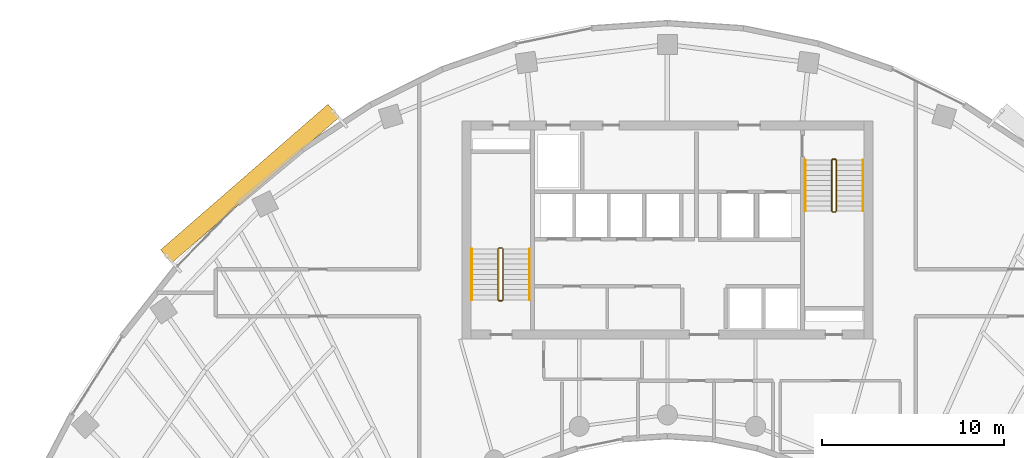
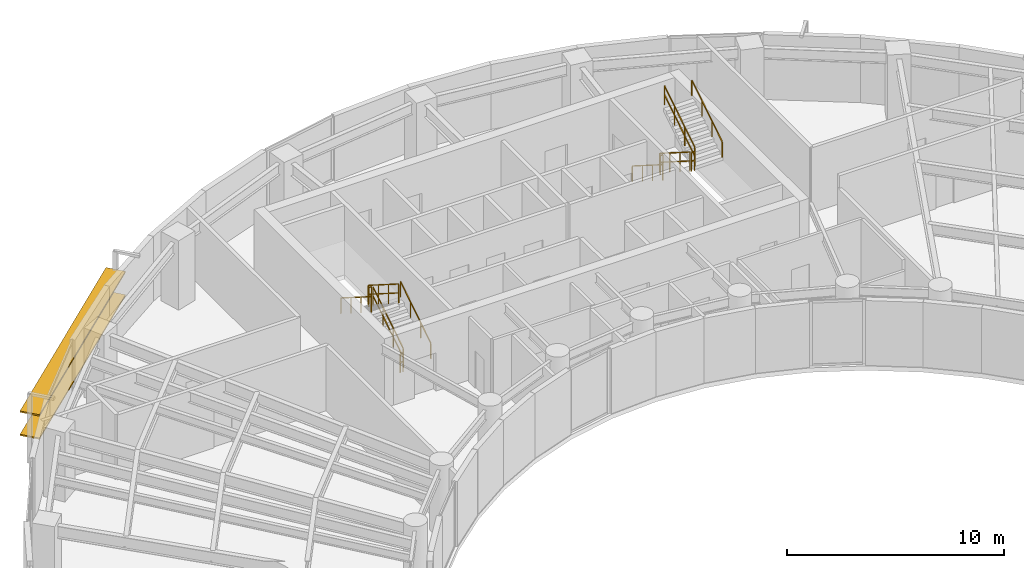
# One storey, part 12 of 13: 12 railings, 2 shading devices.
"""IFC4 building model written with IfcOpenShell, lengths in metres."""

from ifc_helpers import new_model, si_unit, direction, frame, origin, origin_2d, place, context, subcontext, project, spatial, rectangle, extrude, source, transform, mapped, material, material_profile, profile_set, type_object, type_shapes, element, save


model = new_model("IFC4")

# Units and contexts
model_context = context("Model", 3, precision=1e-05, world=origin(), true_north=direction((0.0, 1.0)))
body_context = subcontext(model_context, "Body", "Model", "MODEL_VIEW")
ifc_project = project(units=[si_unit("LENGTHUNIT", "METRE"), si_unit("AREAUNIT", "SQUARE_METRE"), si_unit("VOLUMEUNIT", "CUBIC_METRE"), si_unit("PLANEANGLEUNIT", "RADIAN"), si_unit("MASSUNIT", "GRAM", prefix="KILO")], contexts=[model_context])

# Site, building, storey
site_placement = place(None, origin())
site = spatial("IfcSite", under=ifc_project, at=site_placement, CompositionType="ELEMENT")
building_placement = place(site_placement, origin())
building = spatial("IfcBuilding", under=site, at=building_placement, Name="Breltana Convention Tower", CompositionType="ELEMENT")
storey_placement = place(building_placement, frame((0.0, 0.0, 154.5)))
storey = spatial("IfcBuildingStorey", under=building, at=storey_placement, Name="L37", CompositionType="ELEMENT", Elevation=154.5)

# Railings
ifc_material_1 = material(Name="Steel S275 Painted", Category="steel")
railing_type_1 = type_object("IfcRailingType", Name="RL-STAIR-GUARD-1100", PredefinedType="GUARDRAIL", material=ifc_material_1)
railing_1_placement = place(storey_placement, frame((38.9599609375, 62.360107421875, 0.17724609375)))
element("IfcRailing", 1, at=railing_1_placement, inside=storey, type_object=railing_type_1, Name="L37 ST-1 stair guard 1", PredefinedType="GUARDRAIL", context=body_context, shape_type="SweptSolid", body=[
    extrude(rectangle(XDim=0.048095703125, YDim=0.048095703125, at=origin_2d()), frame((0.0, 0.0, 1.076171875), z_axis=(0.0, 0.844887892834, 0.53494340686), x_axis=(-1.0, 0.0, 0.0)), (0.0, 0.0, 1.0), 3.313720703125),
    extrude(rectangle(XDim=0.048095703125, YDim=0.048095703125, at=origin_2d()), frame((0.0, 0.0, 0.572021484375), z_axis=(0.0, 0.844887892834, 0.53494340686), x_axis=(-1.0, 0.0, 0.0)), (0.0, 0.0, 1.0), 3.313720703125),
    extrude(rectangle(XDim=0.0419921875, YDim=0.0419921875, at=origin_2d()), origin(), (0.0, 0.0, 1.0), 1.052001953125),
    extrude(rectangle(XDim=0.0419921875, YDim=0.0419921875, at=origin_2d()), frame((0.0, 0.933349609375, 0.5908203125)), (0.0, 0.0, 1.0), 1.052001953125),
    extrude(rectangle(XDim=0.0419921875, YDim=0.0419921875, at=origin_2d()), frame((0.0, 1.866455078125, 1.181884765625)), (0.0, 0.0, 1.0), 1.052001953125),
    extrude(rectangle(XDim=0.0419921875, YDim=0.0419921875, at=origin_2d()), frame((0.0, 2.7998046875, 1.772705078125)), (0.0, 0.0, 1.0), 1.052001953125),
])
railing_2_placement = place(storey_placement, frame((38.909912109375, 65.2099609375, 1.949951171875)))
element("IfcRailing", 2, at=railing_2_placement, inside=storey, type_object=railing_type_1, Name="L37 ST-1 stair guard 2", PredefinedType="GUARDRAIL", context=body_context, shape_type="SweptSolid", body=[
    extrude(rectangle(XDim=0.048095703125, YDim=0.048095703125, at=origin_2d()), frame((0.0, 0.0, 1.076171875), z_axis=(-1.0, 0.0, 0.0), x_axis=(0.0, -1.0, 0.0)), (0.0, 0.0, 1.0), 0.14990234375),
    extrude(rectangle(XDim=0.048095703125, YDim=0.048095703125, at=origin_2d()), frame((0.0, 0.0, 0.572021484375), z_axis=(-1.0, 0.0, 0.0), x_axis=(0.0, -1.0, 0.0)), (0.0, 0.0, 1.0), 0.14990234375),
    extrude(rectangle(XDim=0.0419921875, YDim=0.0419921875, at=origin_2d()), origin(), (0.0, 0.0, 1.0), 1.052001953125),
    extrude(rectangle(XDim=0.0419921875, YDim=0.0419921875, at=origin_2d()), frame((-0.14990234375, 0.0, 0.0)), (0.0, 0.0, 1.0), 1.052001953125),
])
railing_3_placement = place(storey_placement, frame((38.7099609375, 65.159912109375, 2.127197265625)))
element("IfcRailing", 3, at=railing_3_placement, inside=storey, type_object=railing_type_1, Name="L37 ST-1 stair guard 3", PredefinedType="GUARDRAIL", context=body_context, shape_type="SweptSolid", body=[
    extrude(rectangle(XDim=0.048095703125, YDim=0.048095703125, at=origin_2d()), frame((0.0, 0.0, 1.076171875), z_axis=(0.0, -0.844887892834, 0.53494340686), x_axis=(1.0, 0.0, 0.0)), (0.0, 0.0, 1.0), 3.313720703125),
    extrude(rectangle(XDim=0.048095703125, YDim=0.048095703125, at=origin_2d()), frame((0.0, 0.0, 0.572021484375), z_axis=(0.0, -0.844887892834, 0.53494340686), x_axis=(1.0, 0.0, 0.0)), (0.0, 0.0, 1.0), 3.313720703125),
    extrude(rectangle(XDim=0.0419921875, YDim=0.0419921875, at=origin_2d()), origin(), (0.0, 0.0, 1.0), 1.052001953125),
    extrude(rectangle(XDim=0.0419921875, YDim=0.0419921875, at=origin_2d()), frame((0.0, -0.933349609375, 0.5908203125)), (0.0, 0.0, 1.0), 1.052001953125),
    extrude(rectangle(XDim=0.0419921875, YDim=0.0419921875, at=origin_2d()), frame((0.0, -1.866455078125, 1.181884765625)), (0.0, 0.0, 1.0), 1.052001953125),
    extrude(rectangle(XDim=0.0419921875, YDim=0.0419921875, at=origin_2d()), frame((0.0, -2.7998046875, 1.772705078125)), (0.0, 0.0, 1.0), 1.052001953125),
])
railing_4_placement = place(storey_placement, frame((38.909912109375, 62.31005859375, 0.0)))
element("IfcRailing", 4, at=railing_4_placement, inside=storey, type_object=railing_type_1, Name="L37 ST-1 stair guard 4", PredefinedType="GUARDRAIL", context=body_context, shape_type="SweptSolid", body=[
    extrude(rectangle(XDim=0.048095703125, YDim=0.048095703125, at=origin_2d()), frame((0.0, 0.0, 1.076171875), z_axis=(-1.0, 0.0, 0.0), x_axis=(0.0, -1.0, 0.0)), (0.0, 0.0, 1.0), 0.14990234375),
    extrude(rectangle(XDim=0.048095703125, YDim=0.048095703125, at=origin_2d()), frame((0.0, 0.0, 0.572021484375), z_axis=(-1.0, 0.0, 0.0), x_axis=(0.0, -1.0, 0.0)), (0.0, 0.0, 1.0), 0.14990234375),
    extrude(rectangle(XDim=0.0419921875, YDim=0.0419921875, at=origin_2d()), origin(), (0.0, 0.0, 1.0), 1.052001953125),
    extrude(rectangle(XDim=0.0419921875, YDim=0.0419921875, at=origin_2d()), frame((-0.14990234375, 0.0, 0.0)), (0.0, 0.0, 1.0), 1.052001953125),
])
railing_5_placement = place(storey_placement, frame((57.0400390625, 70.0400390625, 0.17724609375)))
element("IfcRailing", 5, at=railing_5_placement, inside=storey, type_object=railing_type_1, Name="L37 ST-2 stair guard 1", PredefinedType="GUARDRAIL", context=body_context, shape_type="SweptSolid", body=[
    extrude(rectangle(XDim=0.048095703125, YDim=0.048095703125, at=origin_2d()), frame((0.0, 0.0, 1.076171875), z_axis=(0.0, -0.844908973607, 0.534910110503), x_axis=(1.0, 0.0, 0.0)), (0.0, 0.0, 1.0), 3.31396484375),
    extrude(rectangle(XDim=0.048095703125, YDim=0.048095703125, at=origin_2d()), frame((0.0, 0.0, 0.572021484375), z_axis=(0.0, -0.844908973607, 0.534910110503), x_axis=(1.0, 0.0, 0.0)), (0.0, 0.0, 1.0), 3.31396484375),
    extrude(rectangle(XDim=0.0419921875, YDim=0.0419921875, at=origin_2d()), origin(), (0.0, 0.0, 1.0), 1.052001953125),
    extrude(rectangle(XDim=0.0419921875, YDim=0.0419921875, at=origin_2d()), frame((0.0, -0.933349609375, 0.5908203125)), (0.0, 0.0, 1.0), 1.052001953125),
    extrude(rectangle(XDim=0.0419921875, YDim=0.0419921875, at=origin_2d()), frame((0.0, -1.86669921875, 1.181884765625)), (0.0, 0.0, 1.0), 1.052001953125),
    extrude(rectangle(XDim=0.0419921875, YDim=0.0419921875, at=origin_2d()), frame((0.0, -2.800048828125, 1.772705078125)), (0.0, 0.0, 1.0), 1.052001953125),
])
railing_6_placement = place(storey_placement, frame((57.090087890625, 67.18994140625, 1.949951171875)))
element("IfcRailing", 6, at=railing_6_placement, inside=storey, type_object=railing_type_1, Name="L37 ST-2 stair guard 2", PredefinedType="GUARDRAIL", context=body_context, shape_type="SweptSolid", body=[
    extrude(rectangle(XDim=0.048095703125, YDim=0.048095703125, at=origin_2d()), frame((0.0, 0.0, 1.076171875), z_axis=(1.0, 0.0, 0.0), x_axis=(0.0, 1.0, 0.0)), (0.0, 0.0, 1.0), 0.14990234375),
    extrude(rectangle(XDim=0.048095703125, YDim=0.048095703125, at=origin_2d()), frame((0.0, 0.0, 0.572021484375), z_axis=(1.0, 0.0, 0.0), x_axis=(0.0, 1.0, 0.0)), (0.0, 0.0, 1.0), 0.14990234375),
    extrude(rectangle(XDim=0.0419921875, YDim=0.0419921875, at=origin_2d()), origin(), (0.0, 0.0, 1.0), 1.052001953125),
    extrude(rectangle(XDim=0.0419921875, YDim=0.0419921875, at=origin_2d()), frame((0.14990234375, 0.0, 0.0)), (0.0, 0.0, 1.0), 1.052001953125),
])
railing_7_placement = place(storey_placement, frame((57.2900390625, 67.239990234375, 2.127197265625)))
element("IfcRailing", 7, at=railing_7_placement, inside=storey, type_object=railing_type_1, Name="L37 ST-2 stair guard 3", PredefinedType="GUARDRAIL", context=body_context, shape_type="SweptSolid", body=[
    extrude(rectangle(XDim=0.048095703125, YDim=0.048095703125, at=origin_2d()), frame((0.0, 0.0, 1.076171875), z_axis=(0.0, 0.844908973607, 0.534910110503), x_axis=(-1.0, 0.0, 0.0)), (0.0, 0.0, 1.0), 3.31396484375),
    extrude(rectangle(XDim=0.048095703125, YDim=0.048095703125, at=origin_2d()), frame((0.0, 0.0, 0.572021484375), z_axis=(0.0, 0.844908973607, 0.534910110503), x_axis=(-1.0, 0.0, 0.0)), (0.0, 0.0, 1.0), 3.31396484375),
    extrude(rectangle(XDim=0.0419921875, YDim=0.0419921875, at=origin_2d()), origin(), (0.0, 0.0, 1.0), 1.052001953125),
    extrude(rectangle(XDim=0.0419921875, YDim=0.0419921875, at=origin_2d()), frame((0.0, 0.933349609375, 0.5908203125)), (0.0, 0.0, 1.0), 1.052001953125),
    extrude(rectangle(XDim=0.0419921875, YDim=0.0419921875, at=origin_2d()), frame((0.0, 1.86669921875, 1.181884765625)), (0.0, 0.0, 1.0), 1.052001953125),
    extrude(rectangle(XDim=0.0419921875, YDim=0.0419921875, at=origin_2d()), frame((0.0, 2.800048828125, 1.772705078125)), (0.0, 0.0, 1.0), 1.052001953125),
])
railing_8_placement = place(storey_placement, frame((57.090087890625, 70.090087890625, 0.0)))
element("IfcRailing", 8, at=railing_8_placement, inside=storey, type_object=railing_type_1, Name="L37 ST-2 stair guard 4", PredefinedType="GUARDRAIL", context=body_context, shape_type="SweptSolid", body=[
    extrude(rectangle(XDim=0.048095703125, YDim=0.048095703125, at=origin_2d()), frame((0.0, 0.0, 1.076171875), z_axis=(1.0, 0.0, 0.0), x_axis=(0.0, 1.0, 0.0)), (0.0, 0.0, 1.0), 0.14990234375),
    extrude(rectangle(XDim=0.048095703125, YDim=0.048095703125, at=origin_2d()), frame((0.0, 0.0, 0.572021484375), z_axis=(1.0, 0.0, 0.0), x_axis=(0.0, 1.0, 0.0)), (0.0, 0.0, 1.0), 0.14990234375),
    extrude(rectangle(XDim=0.0419921875, YDim=0.0419921875, at=origin_2d()), origin(), (0.0, 0.0, 1.0), 1.052001953125),
    extrude(rectangle(XDim=0.0419921875, YDim=0.0419921875, at=origin_2d()), frame((0.14990234375, 0.0, 0.0)), (0.0, 0.0, 1.0), 1.052001953125),
])
ifc_material_2 = material(Name="Stainless Steel 316L", Category="steel")
railing_type_2 = type_object("IfcRailingType", Name="RL-STAIR-HANDRAIL-900", PredefinedType="HANDRAIL", material=ifc_material_2)
railing_9_placement = place(storey_placement, frame((40.419921875, 62.360107421875, 0.17724609375)))
element("IfcRailing", 9, at=railing_9_placement, inside=storey, type_object=railing_type_2, Name="L37 ST-1 stair handrail 1", PredefinedType="HANDRAIL", context=body_context, shape_type="SweptSolid", body=[
    extrude(rectangle(XDim=0.048095703125, YDim=0.048095703125, at=origin_2d()), frame((0.0, 0.0, 0.8759765625), z_axis=(0.0, 0.844887892834, 0.53494340686), x_axis=(-1.0, 0.0, 0.0)), (0.0, 0.0, 1.0), 3.313720703125),
    extrude(rectangle(XDim=0.0419921875, YDim=0.0419921875, at=origin_2d()), origin(), (0.0, 0.0, 1.0), 0.851806640625),
    extrude(rectangle(XDim=0.0419921875, YDim=0.0419921875, at=origin_2d()), frame((0.0, 0.933349609375, 0.5908203125)), (0.0, 0.0, 1.0), 0.851806640625),
    extrude(rectangle(XDim=0.0419921875, YDim=0.0419921875, at=origin_2d()), frame((0.0, 1.866455078125, 1.181884765625)), (0.0, 0.0, 1.0), 0.851806640625),
    extrude(rectangle(XDim=0.0419921875, YDim=0.0419921875, at=origin_2d()), frame((0.0, 2.7998046875, 1.772705078125)), (0.0, 0.0, 1.0), 0.851806640625),
])
railing_10_placement = place(storey_placement, frame((37.25, 65.159912109375, 2.127197265625)))
element("IfcRailing", 10, at=railing_10_placement, inside=storey, type_object=railing_type_2, Name="L37 ST-1 stair handrail 2", PredefinedType="HANDRAIL", context=body_context, shape_type="SweptSolid", body=[
    extrude(rectangle(XDim=0.048095703125, YDim=0.048095703125, at=origin_2d()), frame((0.0, 0.0, 0.8759765625), z_axis=(0.0, -0.844887892834, 0.53494340686), x_axis=(1.0, 0.0, 0.0)), (0.0, 0.0, 1.0), 3.313720703125),
    extrude(rectangle(XDim=0.0419921875, YDim=0.0419921875, at=origin_2d()), origin(), (0.0, 0.0, 1.0), 0.851806640625),
    extrude(rectangle(XDim=0.0419921875, YDim=0.0419921875, at=origin_2d()), frame((0.0, -0.933349609375, 0.5908203125)), (0.0, 0.0, 1.0), 0.851806640625),
    extrude(rectangle(XDim=0.0419921875, YDim=0.0419921875, at=origin_2d()), frame((0.0, -1.866455078125, 1.181884765625)), (0.0, 0.0, 1.0), 0.851806640625),
    extrude(rectangle(XDim=0.0419921875, YDim=0.0419921875, at=origin_2d()), frame((0.0, -2.7998046875, 1.772705078125)), (0.0, 0.0, 1.0), 0.851806640625),
])
railing_11_placement = place(storey_placement, frame((55.580078125, 70.0400390625, 0.17724609375)))
element("IfcRailing", 11, at=railing_11_placement, inside=storey, type_object=railing_type_2, Name="L37 ST-2 stair handrail 1", PredefinedType="HANDRAIL", context=body_context, shape_type="SweptSolid", body=[
    extrude(rectangle(XDim=0.048095703125, YDim=0.048095703125, at=origin_2d()), frame((0.0, 0.0, 0.8759765625), z_axis=(0.0, -0.844908973607, 0.534910110503), x_axis=(1.0, 0.0, 0.0)), (0.0, 0.0, 1.0), 3.31396484375),
    extrude(rectangle(XDim=0.0419921875, YDim=0.0419921875, at=origin_2d()), origin(), (0.0, 0.0, 1.0), 0.851806640625),
    extrude(rectangle(XDim=0.0419921875, YDim=0.0419921875, at=origin_2d()), frame((0.0, -0.933349609375, 0.5908203125)), (0.0, 0.0, 1.0), 0.851806640625),
    extrude(rectangle(XDim=0.0419921875, YDim=0.0419921875, at=origin_2d()), frame((0.0, -1.86669921875, 1.181884765625)), (0.0, 0.0, 1.0), 0.851806640625),
    extrude(rectangle(XDim=0.0419921875, YDim=0.0419921875, at=origin_2d()), frame((0.0, -2.800048828125, 1.772705078125)), (0.0, 0.0, 1.0), 0.851806640625),
])
railing_12_placement = place(storey_placement, frame((58.75, 67.239990234375, 2.127197265625)))
element("IfcRailing", 12, at=railing_12_placement, inside=storey, type_object=railing_type_2, Name="L37 ST-2 stair handrail 2", PredefinedType="HANDRAIL", context=body_context, shape_type="SweptSolid", body=[
    extrude(rectangle(XDim=0.048095703125, YDim=0.048095703125, at=origin_2d()), frame((0.0, 0.0, 0.8759765625), z_axis=(0.0, 0.844908973607, 0.534910110503), x_axis=(-1.0, 0.0, 0.0)), (0.0, 0.0, 1.0), 3.31396484375),
    extrude(rectangle(XDim=0.0419921875, YDim=0.0419921875, at=origin_2d()), origin(), (0.0, 0.0, 1.0), 0.851806640625),
    extrude(rectangle(XDim=0.0419921875, YDim=0.0419921875, at=origin_2d()), frame((0.0, 0.933349609375, 0.5908203125)), (0.0, 0.0, 1.0), 0.851806640625),
    extrude(rectangle(XDim=0.0419921875, YDim=0.0419921875, at=origin_2d()), frame((0.0, 1.86669921875, 1.181884765625)), (0.0, 0.0, 1.0), 0.851806640625),
    extrude(rectangle(XDim=0.0419921875, YDim=0.0419921875, at=origin_2d()), frame((0.0, 2.800048828125, 1.772705078125)), (0.0, 0.0, 1.0), 0.851806640625),
])

# Shading devices
ifc_material_3 = material(Name="Limestone Warm Buff Honed", Category="masonry")
ifc_material_profile = material_profile(ifc_material_3, rectangle(XDim=0.949951171875, YDim=0.080078125, at=origin_2d()), Name="STN-LVR-950X80")
ifc_profile_set = profile_set([ifc_material_profile], Name="Limestone Warm Buff Honed")
shading_device_type = type_object("IfcShadingDeviceType", Name="SHD-OUTER-SKIN-LIMESTONE-950", PredefinedType="JALOUSIE", material=ifc_profile_set)
shared_shape = source(origin(), body_context, "Body", "SweptSolid", [
    extrude(rectangle(XDim=0.949951171875, YDim=0.080078125, at=origin_2d()), origin(), (0.0, 0.0, 1.0), 12.1943359375),
])
type_shapes(shading_device_type, [shared_shape])
for number, where, z_axis, x_axis, name in (
    (13, (20.451904296875, 64.74951171875, 1.31396484375), (0.754361083307, 0.656459713914, 0.0), (-0.656459713914, 0.754361083307, 0.0), "L37 outer skin warm limestone louvre 1.1"),
    (14, (20.451904296875, 64.74951171875, 2.6279296875), (0.754361083307, 0.656459713914, 0.0), (-0.656459713914, 0.754361083307, 0.0), "L37 outer skin warm limestone louvre 1.2"),
):
    element("IfcShadingDevice", number, at=place(storey_placement, frame(where, z_axis=z_axis, x_axis=x_axis)), inside=storey, type_object=shading_device_type, Name=name, PredefinedType="JALOUSIE", context=body_context, shape_type="MappedRepresentation", body=[
        mapped(shared_shape, transform((0.0, 0.0, 0.0), scale=1.0)),
    ])

save(model, "model.ifc")
